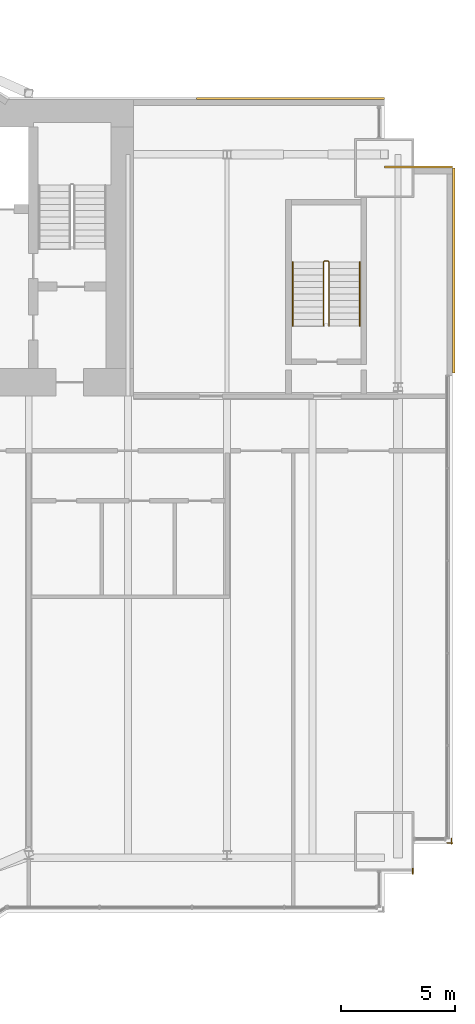
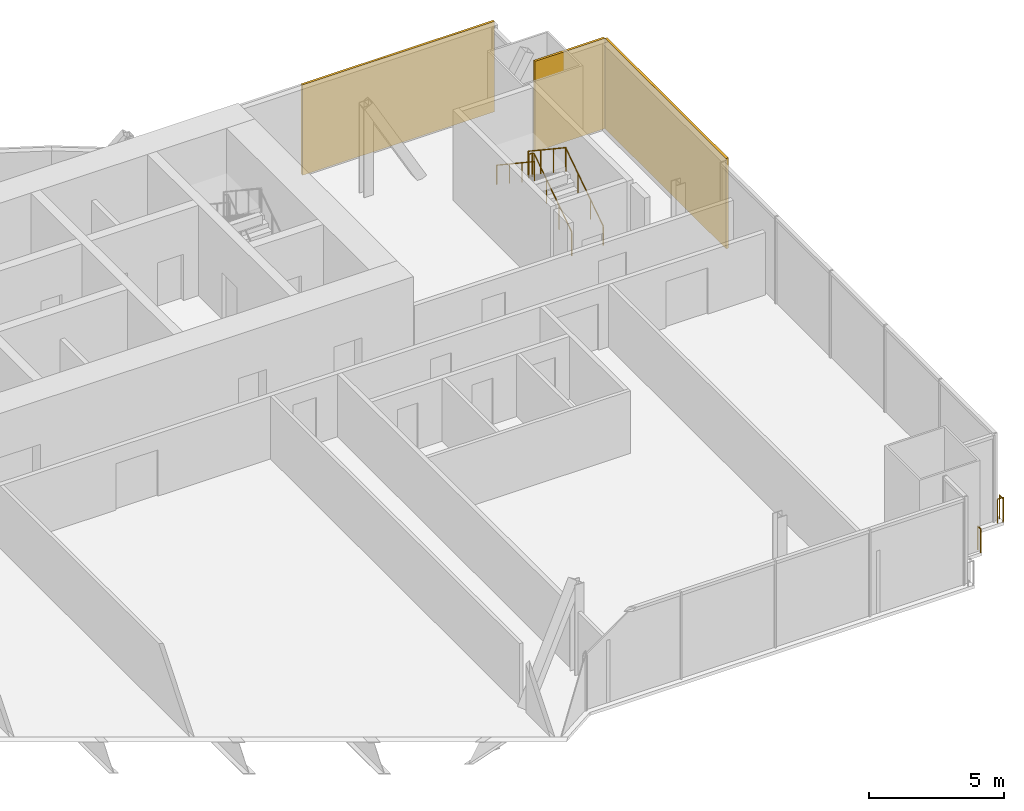
# One storey, part 22 of 22: 5 railings, 3 coverings.
"""IFC4 building model written with IfcOpenShell, lengths in metres."""

from ifc_helpers import new_model, si_unit, direction, frame, origin, origin_2d, place, context, subcontext, project, spatial, rectangle, circle, extrude, material, layer, layer_set, type_object, element, save


model = new_model("IFC4")

# Units and contexts
model_context = context("Model", 3, precision=1e-05, world=origin(), true_north=direction((0.0, 1.0)))
body_context = subcontext(model_context, "Body", "Model", "MODEL_VIEW")
ifc_project = project(units=[si_unit("LENGTHUNIT", "METRE"), si_unit("AREAUNIT", "SQUARE_METRE"), si_unit("VOLUMEUNIT", "CUBIC_METRE"), si_unit("PLANEANGLEUNIT", "RADIAN"), si_unit("MASSUNIT", "GRAM", prefix="KILO")], contexts=[model_context])

# Site, building, storey
site_placement = place(None, origin())
site = spatial("IfcSite", under=ifc_project, at=site_placement, CompositionType="ELEMENT")
building_placement = place(site_placement, origin())
building = spatial("IfcBuilding", under=site, at=building_placement, Name="Bicima Exchange Tower", CompositionType="ELEMENT")
storey_placement = place(building_placement, frame((0.0, 0.0, 148.60009765625)))
storey = spatial("IfcBuildingStorey", under=building, at=storey_placement, Name="L32", CompositionType="ELEMENT", Elevation=148.60009765625)

# Coverings
ifc_material_1 = material(Name="Bronze metal cladding")
ifc_layer_1 = layer(ifc_material_1, 0.004)
ifc_material_2 = material(Name="Ventilated cavity")
ifc_layer_2 = layer(ifc_material_2, 0.06)
ifc_material_3 = material(Name="Galvanised steel rail and mineral wool", Category="steel")
ifc_layer_3 = layer(ifc_material_3, 0.036)
ifc_layer_set = layer_set([ifc_layer_1, ifc_layer_2, ifc_layer_3], Name="Ventilated cavity")
covering_type = type_object("IfcCoveringType", Name="Bronze metal cladding panel 100", PredefinedType="CLADDING", material=ifc_layer_set)
covering_1_placement = place(storey_placement, frame((28.875, 0.050048828125, -0.150146484375), z_axis=(0.0, 0.0, 1.0), x_axis=(-1.0, 0.0, 0.0)))
element("IfcCovering", 1, at=covering_1_placement, inside=storey, type_object=covering_type, Name="Bronze cladding L32 1.1", PredefinedType="CLADDING", context=body_context, shape_type="SweptSolid", body=[
    extrude(rectangle(XDim=8.25, YDim=0.10009765625, at=origin_2d()), origin(), (0.0, 0.0, 1.0), 4.10009765625),
])
covering_2_placement = place(storey_placement, frame((36.050048828125, -7.5, -0.150146484375), z_axis=(0.0, 0.0, 1.0), x_axis=(0.0, 1.0, 0.0)))
element("IfcCovering", 2, at=covering_2_placement, inside=storey, type_object=covering_type, Name="Bronze cladding L32 50.1", PredefinedType="CLADDING", context=body_context, shape_type="SweptSolid", body=[
    extrude(rectangle(XDim=9.0, YDim=0.10009765625, at=origin_2d()), origin(), (0.0, 0.0, 1.0), 4.10009765625),
])
covering_3_placement = place(storey_placement, frame((34.5, -2.949951171875, -0.150146484375), z_axis=(0.0, 0.0, 1.0), x_axis=(-1.0, 0.0, 0.0)))
element("IfcCovering", 3, at=covering_3_placement, inside=storey, type_object=covering_type, Name="Bronze cladding L32 51.1", PredefinedType="CLADDING", context=body_context, shape_type="SweptSolid", body=[
    extrude(rectangle(XDim=3.0, YDim=0.10009765625, at=origin_2d()), origin(), (0.0, 0.0, 1.0), 4.10009765625),
])

# Railings
ifc_material_4 = material(Name="Stainless steel and bonded safety glass", Category="steel")
railing_type_1 = type_object("IfcRailingType", Name="Edge guard 1100", PredefinedType="GUARDRAIL", material=ifc_material_4)
railing_1_placement = place(storey_placement, frame((35.949951171875, -32.406982421875, 0.0)))
element("IfcRailing", 4, at=railing_1_placement, inside=storey, type_object=railing_type_1, Name="Edge guard L32 156", PredefinedType="GUARDRAIL", context=body_context, shape_type="SweptSolid", body=[
    extrude(circle(Radius=0.02392578125, at=origin_2d()), frame((0.0, 0.0, 1.076171875), z_axis=(0.0, -1.0, 0.0), x_axis=(1.0, 0.0, 0.0)), (0.0, 0.0, 1.0), 0.2490234375),
    extrude(circle(Radius=0.02392578125, at=origin_2d()), frame((0.0, -0.2490234375, 1.076171875), z_axis=(0.707106781187, 0.707106781187, 0.0), x_axis=(-0.707106781187, 0.707106781187, 0.0)), (0.0, 0.0, 1.0), 0.07080078125),
    extrude(circle(Radius=0.02392578125, at=origin_2d()), frame((0.050048828125, -0.198974609375, 1.076171875), z_axis=(-1.0, 0.0, 0.0), x_axis=(0.0, -1.0, 0.0)), (0.0, 0.0, 1.0), 0.242919921875),
    extrude(circle(Radius=0.02099609375, at=origin_2d()), origin(), (0.0, 0.0, 1.0), 1.052001953125),
    extrude(circle(Radius=0.02099609375, at=origin_2d()), frame((0.0, -0.2490234375, 0.0)), (0.0, 0.0, 1.0), 1.052001953125),
    extrude(circle(Radius=0.02099609375, at=origin_2d()), frame((0.050048828125, -0.198974609375, 0.0)), (0.0, 0.0, 1.0), 1.052001953125),
    extrude(circle(Radius=0.02099609375, at=origin_2d()), frame((-0.19287109375, -0.198974609375, 0.0)), (0.0, 0.0, 1.0), 1.052001953125),
])
railing_2_placement = place(storey_placement, frame((34.25, -33.739013671875, 0.0)))
element("IfcRailing", 5, at=railing_2_placement, inside=storey, type_object=railing_type_1, Name="Edge guard L32 157", PredefinedType="GUARDRAIL", context=body_context, shape_type="SweptSolid", body=[
    extrude(circle(Radius=0.02392578125, at=origin_2d()), frame((0.0, 0.0, 1.076171875), z_axis=(0.0, -1.0, 0.0), x_axis=(1.0, 0.0, 0.0)), (0.0, 0.0, 1.0), 0.217041015625),
    extrude(circle(Radius=0.02099609375, at=origin_2d()), origin(), (0.0, 0.0, 1.0), 1.052001953125),
    extrude(circle(Radius=0.02099609375, at=origin_2d()), frame((0.0, -0.217041015625, 0.0)), (0.0, 0.0, 1.0), 1.052001953125),
])
ifc_material_5 = material(Name="Stainless steel", Category="steel")
railing_type_2 = type_object("IfcRailingType", Name="Stair guard 1100", PredefinedType="GUARDRAIL", material=ifc_material_5)
railing_3_placement = place(storey_placement, frame((30.574951171875, -9.925048828125, 0.186279296875)))
element("IfcRailing", 6, at=railing_3_placement, inside=storey, type_object=railing_type_2, Name="L32 ST-EE stair guard 1", PredefinedType="GUARDRAIL", context=body_context, shape_type="SweptSolid", body=[
    extrude(circle(Radius=0.02392578125, at=origin_2d()), frame((0.0, 0.0, 1.076171875), z_axis=(0.0, 0.832485552168, 0.554046753832), x_axis=(-1.0, 0.0, 0.0)), (0.0, 0.0, 1.0), 3.363525390625),
    extrude(circle(Radius=0.02392578125, at=origin_2d()), frame((0.0, 2.800048828125, 2.939453125), z_axis=(-0.707106781187, 0.707106781187, 0.0), x_axis=(-0.707106781187, -0.707106781187, 0.0)), (0.0, 0.0, 1.0), 0.07080078125),
    extrude(circle(Radius=0.02392578125, at=origin_2d()), frame((-0.050048828125, 2.85009765625, 2.939453125), z_axis=(-1.0, 0.0, 0.0), x_axis=(0.0, -1.0, 0.0)), (0.0, 0.0, 1.0), 0.14990234375),
    extrude(circle(Radius=0.02392578125, at=origin_2d()), frame((-0.199951171875, 2.85009765625, 2.939453125), z_axis=(-0.250869701741, -0.250869701741, 0.934948546978), x_axis=(0.707106781187, -0.707106781187, 0.0)), (0.0, 0.0, 1.0), 0.199462890625),
    extrude(circle(Radius=0.02392578125, at=origin_2d()), frame((-0.25, 2.800048828125, 3.1259765625), z_axis=(0.0, -0.832485552168, 0.554046753832), x_axis=(1.0, 0.0, 0.0)), (0.0, 0.0, 1.0), 3.363525390625),
    extrude(circle(Radius=0.02099609375, at=origin_2d()), origin(), (0.0, 0.0, 1.0), 1.052001953125),
    extrude(circle(Radius=0.02099609375, at=origin_2d()), frame((0.0, 0.933349609375, 0.62109375)), (0.0, 0.0, 1.0), 1.052001953125),
    extrude(circle(Radius=0.02099609375, at=origin_2d()), frame((0.0, 1.86669921875, 1.242431640625)), (0.0, 0.0, 1.0), 1.052001953125),
    extrude(circle(Radius=0.02099609375, at=origin_2d()), frame((0.0, 2.800048828125, 1.863525390625)), (0.0, 0.0, 1.0), 1.052001953125),
    extrude(circle(Radius=0.02099609375, at=origin_2d()), frame((-0.050048828125, 2.85009765625, 1.863525390625)), (0.0, 0.0, 1.0), 1.052001953125),
    extrude(circle(Radius=0.02099609375, at=origin_2d()), frame((-0.199951171875, 2.85009765625, 1.863525390625)), (0.0, 0.0, 1.0), 1.052001953125),
    extrude(circle(Radius=0.02099609375, at=origin_2d()), frame((-0.25, 2.800048828125, 2.050048828125)), (0.0, 0.0, 1.0), 1.052001953125),
    extrude(circle(Radius=0.02099609375, at=origin_2d()), frame((-0.25, 1.86669921875, 2.671142578125)), (0.0, 0.0, 1.0), 1.052001953125),
    extrude(circle(Radius=0.02099609375, at=origin_2d()), frame((-0.25, 0.933349609375, 3.29248046875)), (0.0, 0.0, 1.0), 1.052001953125),
    extrude(circle(Radius=0.02099609375, at=origin_2d()), frame((-0.25, 0.0, 3.91357421875)), (0.0, 0.0, 1.0), 1.052001953125),
])
railing_type_3 = type_object("IfcRailingType", Name="Stair handrail 900", PredefinedType="HANDRAIL", material=ifc_material_5)
railing_4_placement = place(storey_placement, frame((31.925048828125, -9.925048828125, 0.186279296875)))
element("IfcRailing", 7, at=railing_4_placement, inside=storey, type_object=railing_type_3, Name="L32 ST-EE stair handrail 1", PredefinedType="HANDRAIL", context=body_context, shape_type="SweptSolid", body=[
    extrude(circle(Radius=0.02392578125, at=origin_2d()), frame((0.0, 0.0, 0.8759765625), z_axis=(0.0, 0.832485552168, 0.554046753832), x_axis=(-1.0, 0.0, 0.0)), (0.0, 0.0, 1.0), 3.363525390625),
    extrude(circle(Radius=0.02099609375, at=origin_2d()), origin(), (0.0, 0.0, 1.0), 0.851806640625),
    extrude(circle(Radius=0.02099609375, at=origin_2d()), frame((0.0, 0.933349609375, 0.62109375)), (0.0, 0.0, 1.0), 0.851806640625),
    extrude(circle(Radius=0.02099609375, at=origin_2d()), frame((0.0, 1.86669921875, 1.242431640625)), (0.0, 0.0, 1.0), 0.851806640625),
    extrude(circle(Radius=0.02099609375, at=origin_2d()), frame((0.0, 2.800048828125, 1.863525390625)), (0.0, 0.0, 1.0), 0.851806640625),
])
railing_5_placement = place(storey_placement, frame((28.97509765625, -7.125, 2.276611328125)))
element("IfcRailing", 8, at=railing_5_placement, inside=storey, type_object=railing_type_3, Name="L32 ST-EE stair handrail 2", PredefinedType="HANDRAIL", context=body_context, shape_type="SweptSolid", body=[
    extrude(circle(Radius=0.02392578125, at=origin_2d()), frame((0.0, 0.0, 0.8759765625), z_axis=(0.0, -0.832452072856, 0.554097055034), x_axis=(1.0, 0.0, 0.0)), (0.0, 0.0, 1.0), 3.363525390625),
    extrude(circle(Radius=0.02099609375, at=origin_2d()), origin(), (0.0, 0.0, 1.0), 0.851806640625),
    extrude(circle(Radius=0.02099609375, at=origin_2d()), frame((0.0, -0.933349609375, 0.621337890625)), (0.0, 0.0, 1.0), 0.851806640625),
    extrude(circle(Radius=0.02099609375, at=origin_2d()), frame((0.0, -1.86669921875, 1.242431640625)), (0.0, 0.0, 1.0), 0.851806640625),
    extrude(circle(Radius=0.02099609375, at=origin_2d()), frame((0.0, -2.800048828125, 1.86376953125)), (0.0, 0.0, 1.0), 0.851806640625),
])

save(model, "model.ifc")
